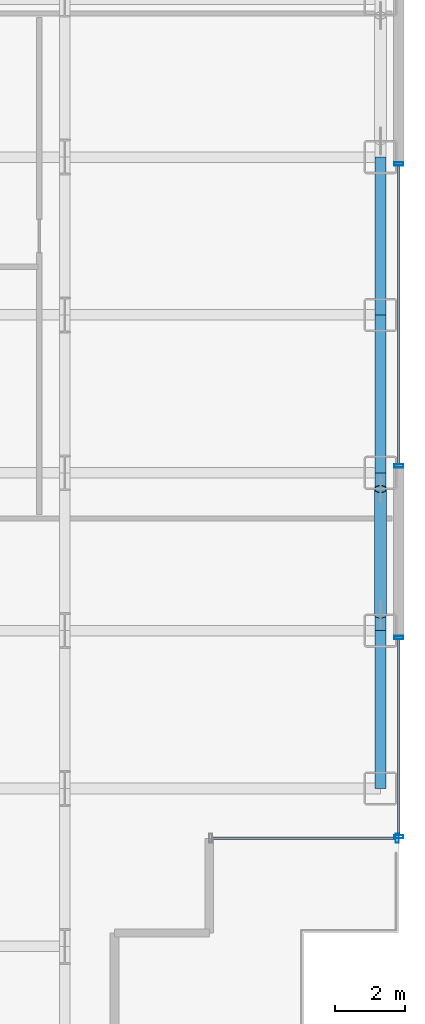
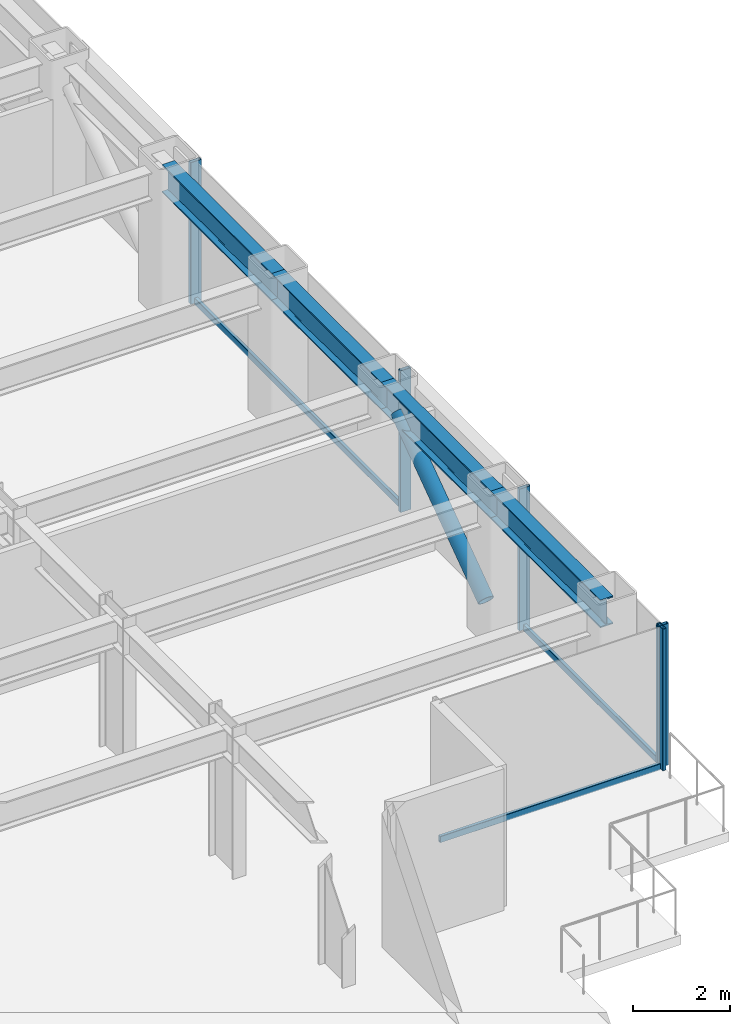
# One storey, part 18 of 29: 9 members, 4 beams, 3 elements without a shape of their own.
"""IFC4 building model written with IfcOpenShell, lengths in metres."""

from ifc_helpers import new_model, si_unit, direction, frame, origin, origin_2d, place, context, subcontext, project, spatial, hollow_rectangle, hollow_circle, i_section, extrude, source, transform, mapped, material, layer, layer_set, material_profile, profile_set, type_object, element, aggregate, save


model = new_model("IFC4")

# Units and contexts
model_context = context("Model", 3, precision=1e-05, world=origin(), true_north=direction((0.0, 1.0)))
body_context = subcontext(model_context, "Body", "Model", "MODEL_VIEW")
ifc_project = project(units=[si_unit("LENGTHUNIT", "METRE"), si_unit("AREAUNIT", "SQUARE_METRE"), si_unit("VOLUMEUNIT", "CUBIC_METRE"), si_unit("PLANEANGLEUNIT", "RADIAN"), si_unit("MASSUNIT", "GRAM", prefix="KILO")], contexts=[model_context])

# Site, building, storey
site_placement = place(None, origin())
site = spatial("IfcSite", under=ifc_project, at=site_placement, CompositionType="ELEMENT")
building_placement = place(site_placement, origin())
building = spatial("IfcBuilding", under=site, at=building_placement, Name="Nefas-Gora Pilgrimage Tower", CompositionType="ELEMENT")
storey_placement = place(building_placement, frame((0.0, 0.0, 67.199951171875)))
storey = spatial("IfcBuildingStorey", under=building, at=storey_placement, Name="L15", CompositionType="ELEMENT", Elevation=67.199951171875)

# Beams
ifc_material_1 = material(Name="Steel S355", Category="steel")
ifc_material_profile_1 = material_profile(ifc_material_1, i_section(OverallWidth=0.300048828125, OverallDepth=0.699951171875, WebThickness=0.01708984375, FlangeThickness=0.031982421875, FilletRadius=0.027099609375, at=origin_2d()), Name="HEB 700")
ifc_profile_set_1 = profile_set([ifc_material_profile_1], Name="Steel S355")
beam_type = type_object("IfcBeamType", Name="BM-SPN-HEB600", PredefinedType="SPANDREL", material=ifc_profile_set_1)
shared_shape_1 = source(origin(), body_context, "Body", "SweptSolid", [
    extrude(i_section(OverallWidth=0.300048828125, OverallDepth=0.699951171875, WebThickness=0.01708984375, FlangeThickness=0.031982421875, FilletRadius=0.027099609375, at=origin_2d()), origin(), (0.0, 0.0, 1.0), 4.5),
])
for number, where, z_axis, x_axis, name in (
    (1, (33.75, -13.5, 3.199951171875), (0.0, 1.0, 0.0), (-1.0, 0.0, 0.0), "L15 SP-01 beam"),
    (2, (33.75, -9.0, 3.199951171875), (0.0, 1.0, 0.0), (-1.0, 0.0, 0.0), "L15 SP-01 beam"),
    (3, (33.75, -4.5, 3.199951171875), (0.0, 1.0, 0.0), (-1.0, 0.0, 0.0), "L15 SP-01 beam"),
    (4, (33.75, 0.0, 3.199951171875), (0.0, 1.0, 0.0), (-1.0, 0.0, 0.0), "L15 SP-01 beam"),
):
    element("IfcBeam", number, at=place(storey_placement, frame(where, z_axis=z_axis, x_axis=x_axis)), inside=storey, type_object=beam_type, Name=name, PredefinedType="SPANDREL", context=body_context, shape_type="MappedRepresentation", body=[
        mapped(shared_shape_1, transform((0.0, 0.0, 0.0), x_axis=(1.0, 0.0, 0.0), y_axis=(0.0, 1.0, 0.0), z_axis=(0.0, 0.0, 1.0), scale=1.0)),
    ])

# Member
ifc_material_2 = material(Name="Steel S460", Category="steel")
ifc_material_profile_2 = material_profile(ifc_material_2, hollow_circle(Radius=0.177734375, WallThickness=0.02001953125, at=origin_2d()), Name="CHS 355.6x20")
ifc_profile_set_2 = profile_set([ifc_material_profile_2], Name="Steel S460")
member_type_1 = type_object("IfcMemberType", Name="MEM-TUBE-356", PredefinedType="BRACE", material=ifc_profile_set_2)
shared_shape_2 = source(origin(), body_context, "Body", "SweptSolid", [
    extrude(hollow_circle(Radius=0.177734375, WallThickness=0.02001953125, at=origin_2d()), origin(), (0.0, 0.0, 1.0), 4.39501953125),
])
member_1_placement = place(storey_placement, frame((33.75, -8.537109375, 0.4814453125), z_axis=(0.0, 0.813264026864, 0.581894855287), x_axis=(-1.0, 0.0, 0.0)))
element("IfcMember", 5, at=member_1_placement, inside=storey, type_object=member_type_1, Name="L15 Perimeter Tube Diagonal Brace E1", PredefinedType="BRACE", context=body_context, shape_type="MappedRepresentation", body=[
    mapped(shared_shape_2, transform((0.0, 0.0, 0.0), x_axis=(1.0, 0.0, 0.0), y_axis=(0.0, 1.0, 0.0), z_axis=(0.0, 0.0, 1.0), scale=1.0)),
])

# Curtain wall, member
ifc_material_3 = material(Name="Dark ceramic-fritted solar-control aluminium-glass curtain wall", Category="aluminium")
ifc_layer = layer(ifc_material_3, 0.219970703125)
ifc_layer_set = layer_set([ifc_layer], Name="Dark ceramic-fritted solar-control aluminium-glass curtain wall")
curtain_wall_type = type_object("IfcCurtainWallType", Name="CW-SYS-2", PredefinedType="NOTDEFINED", material=ifc_layer_set)
curtain_wall_1_placement = place(storey_placement, origin())
curtain_wall_1 = element("IfcCurtainWall", 6, at=curtain_wall_1_placement, inside=storey, type_object=curtain_wall_type, Name="L15 Unitised Curtain Wall CW2", PredefinedType="NOTDEFINED")
ifc_material_4 = material(Name="Anodised architectural aluminium", Category="aluminium")
ifc_material_profile_3 = material_profile(ifc_material_4, hollow_rectangle(XDim=0.090087890625, YDim=0.260009765625, WallThickness=0.006103515625, InnerFilletRadius=0.006103515625, OuterFilletRadius=0.011962890625, at=origin_2d()), Name="ALU MULLION 90x260")
ifc_profile_set_3 = profile_set([ifc_material_profile_3], Name="Anodised architectural aluminium")
member_type_2 = type_object("IfcMemberType", Name="CWM-MUL-2", PredefinedType="MULLION", material=ifc_profile_set_3)
shared_shape_3 = source(origin(), body_context, "Body", "SweptSolid", [
    extrude(hollow_rectangle(XDim=0.090087890625, YDim=0.260009765625, WallThickness=0.006103515625, InnerFilletRadius=0.006103515625, OuterFilletRadius=0.011962890625, at=origin_2d()), origin(), (0.0, 0.0, 1.0), 3.550048828125),
])
member_2_placement = place(storey_placement, frame((34.22509765625, -14.919921875, 0.0), z_axis=(0.0, 0.0, 1.0), x_axis=(1.0, 0.0, 0.0)))
member_2 = element("IfcMember", 7, at=member_2_placement, type_object=member_type_2, Name="CW2 Mullion 2", PredefinedType="MULLION", context=body_context, shape_type="MappedRepresentation", body=[
    mapped(shared_shape_3, transform((0.0, 0.0, 0.0), x_axis=(1.0, 0.0, 0.0), y_axis=(0.0, 1.0, 0.0), z_axis=(0.0, 0.0, 1.0), scale=1.0)),
])

# Curtain wall, members
curtain_wall_2_placement = place(storey_placement, origin())
curtain_wall_2 = element("IfcCurtainWall", 8, at=curtain_wall_2_placement, inside=storey, type_object=curtain_wall_type, Name="L15 Unitised Curtain Wall CW2", PredefinedType="NOTDEFINED")
member_3_placement = place(storey_placement, frame((34.27001953125, -14.875, 0.0), z_axis=(0.0, 0.0, 1.0), x_axis=(0.0, 1.0, 0.0)))
member_3 = element("IfcMember", 9, at=member_3_placement, type_object=member_type_2, Name="CW2 Mullion 1", PredefinedType="MULLION", context=body_context, shape_type="MappedRepresentation", body=[
    mapped(shared_shape_3, transform((0.0, 0.0, 0.0), x_axis=(1.0, 0.0, 0.0), y_axis=(0.0, 1.0, 0.0), z_axis=(0.0, 0.0, 1.0), scale=1.0)),
])
member_4_placement = place(storey_placement, frame((34.27001953125, -9.195068359375, 0.0), z_axis=(0.0, 0.0, 1.0), x_axis=(0.0, 1.0, 0.0)))
member_4 = element("IfcMember", 10, at=member_4_placement, type_object=member_type_2, Name="CW2 Mullion 2", PredefinedType="MULLION", context=body_context, shape_type="MappedRepresentation", body=[
    mapped(shared_shape_3, transform((0.0, 0.0, 0.0), x_axis=(1.0, 0.0, 0.0), y_axis=(0.0, 1.0, 0.0), z_axis=(0.0, 0.0, 1.0), scale=1.0)),
])

curtain_wall_3_placement = place(storey_placement, origin())
curtain_wall_3 = element("IfcCurtainWall", 11, at=curtain_wall_3_placement, inside=storey, type_object=curtain_wall_type, Name="L15 Unitised Curtain Wall CW2", PredefinedType="NOTDEFINED")
member_5_placement = place(storey_placement, frame((34.27001953125, -4.304931640625, 0.0), z_axis=(0.0, 0.0, 1.0), x_axis=(0.0, 1.0, 0.0)))
member_5 = element("IfcMember", 12, at=member_5_placement, type_object=member_type_2, Name="CW2 Mullion 1", PredefinedType="MULLION", context=body_context, shape_type="MappedRepresentation", body=[
    mapped(shared_shape_3, transform((0.0, 0.0, 0.0), x_axis=(1.0, 0.0, 0.0), y_axis=(0.0, 1.0, 0.0), z_axis=(0.0, 0.0, 1.0), scale=1.0)),
])
member_6_placement = place(storey_placement, frame((34.27001953125, 4.304931640625, 0.0), z_axis=(0.0, 0.0, 1.0), x_axis=(0.0, 1.0, 0.0)))
member_6 = element("IfcMember", 13, at=member_6_placement, type_object=member_type_2, Name="CW2 Mullion 2", PredefinedType="MULLION", context=body_context, shape_type="MappedRepresentation", body=[
    mapped(shared_shape_3, transform((0.0, 0.0, 0.0), x_axis=(1.0, 0.0, 0.0), y_axis=(0.0, 1.0, 0.0), z_axis=(0.0, 0.0, 1.0), scale=1.0)),
])
ifc_material_profile_4 = material_profile(ifc_material_4, hollow_rectangle(XDim=0.080078125, YDim=0.159912109375, WallThickness=0.00439453125, InnerFilletRadius=0.00439453125, OuterFilletRadius=0.009033203125, at=origin_2d()), Name="ALU TRANSOM 80x160")
ifc_profile_set_4 = profile_set([ifc_material_profile_4], Name="Anodised architectural aluminium")
member_type_3 = type_object("IfcMemberType", Name="CWM-TRN-2", PredefinedType="USERDEFINED", material=ifc_profile_set_4)
shared_shape_4 = source(origin(), body_context, "Body", "SweptSolid", [
    extrude(hollow_rectangle(XDim=0.080078125, YDim=0.159912109375, WallThickness=0.00439453125, InnerFilletRadius=0.00439453125, OuterFilletRadius=0.009033203125, at=origin_2d()), origin(), (0.0, 0.0, 1.0), 8.52001953125),
])
member_7_placement = place(storey_placement, frame((34.27001953125, -4.260009765625, 0.050048828125), z_axis=(0.0, 1.0, 0.0), x_axis=(-1.0, 0.0, 0.0)))
member_7 = element("IfcMember", 14, at=member_7_placement, type_object=member_type_3, Name="CW2 Spandrel Transom", ObjectType="TRANSOM", PredefinedType="USERDEFINED", context=body_context, shape_type="MappedRepresentation", body=[
    mapped(shared_shape_4, transform((0.0, 0.0, 0.0), x_axis=(1.0, 0.0, 0.0), y_axis=(0.0, 1.0, 0.0), z_axis=(0.0, 0.0, 1.0), scale=1.0)),
])
aggregate(curtain_wall_3, [member_5, member_6, member_7])

# Member
shared_shape_5 = source(origin(), body_context, "Body", "SweptSolid", [
    extrude(hollow_rectangle(XDim=0.080078125, YDim=0.159912109375, WallThickness=0.00439453125, InnerFilletRadius=0.00439453125, OuterFilletRadius=0.009033203125, at=origin_2d()), origin(), (0.0, 0.0, 1.0), 5.219970703125),
])
member_8_placement = place(storey_placement, frame((28.9599609375, -14.919921875, 0.050048828125), z_axis=(1.0, 0.0, 0.0), x_axis=(0.0, 1.0, 0.0)))
member_8 = element("IfcMember", 15, at=member_8_placement, type_object=member_type_3, Name="CW2 Spandrel Transom", ObjectType="TRANSOM", PredefinedType="USERDEFINED", context=body_context, shape_type="MappedRepresentation", body=[
    mapped(shared_shape_5, transform((0.0, 0.0, 0.0), x_axis=(1.0, 0.0, 0.0), y_axis=(0.0, 1.0, 0.0), z_axis=(0.0, 0.0, 1.0), scale=1.0)),
])

aggregate(curtain_wall_1, [member_2, member_8])

shared_shape_6 = source(origin(), body_context, "Body", "SweptSolid", [
    extrude(hollow_rectangle(XDim=0.080078125, YDim=0.159912109375, WallThickness=0.00439453125, InnerFilletRadius=0.00439453125, OuterFilletRadius=0.009033203125, at=origin_2d()), origin(), (0.0, 0.0, 1.0), 5.590087890625),
])
member_9_placement = place(storey_placement, frame((34.27001953125, -14.830078125, 0.050048828125), z_axis=(0.0, 1.0, 0.0), x_axis=(-1.0, 0.0, 0.0)))
member_9 = element("IfcMember", 16, at=member_9_placement, type_object=member_type_3, Name="CW2 Spandrel Transom", ObjectType="TRANSOM", PredefinedType="USERDEFINED", context=body_context, shape_type="MappedRepresentation", body=[
    mapped(shared_shape_6, transform((0.0, 0.0, 0.0), x_axis=(1.0, 0.0, 0.0), y_axis=(0.0, 1.0, 0.0), z_axis=(0.0, 0.0, 1.0), scale=1.0)),
])

aggregate(curtain_wall_2, [member_3, member_4, member_9])

save(model, "model.ifc")
